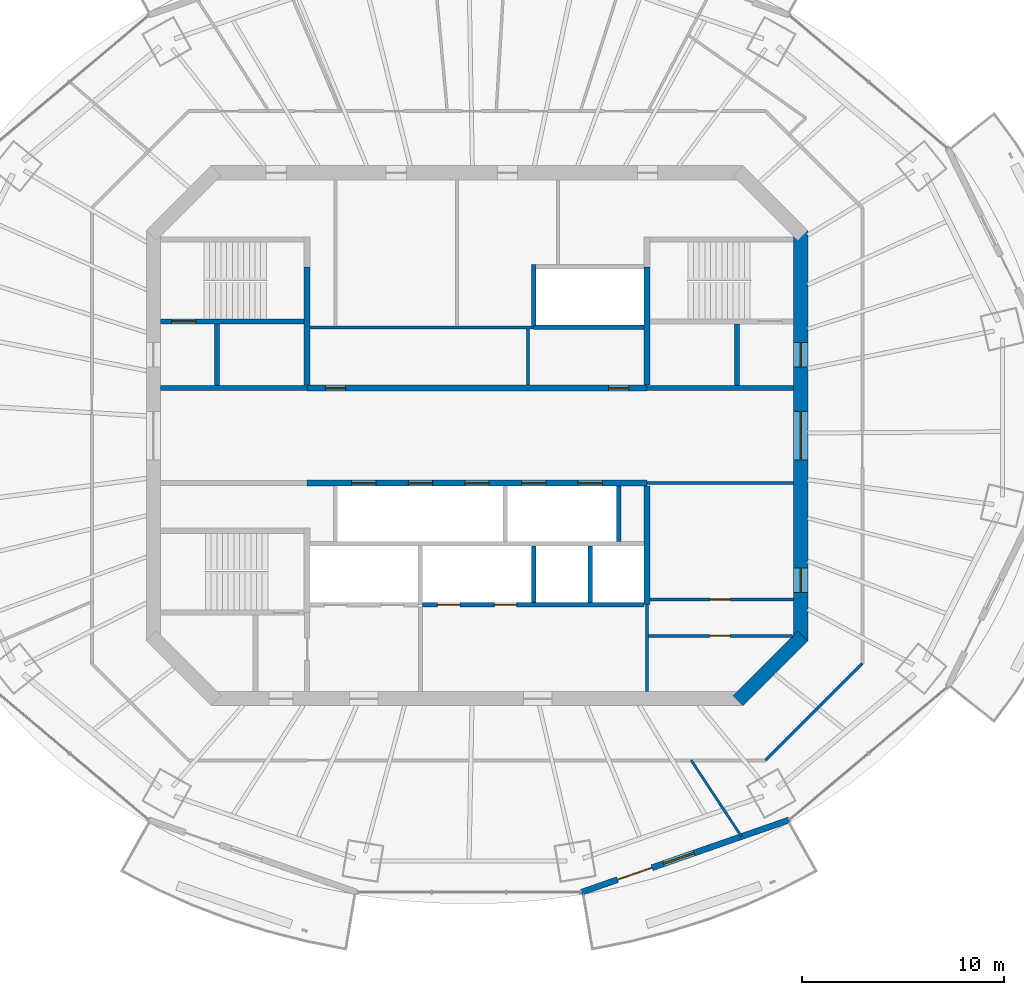
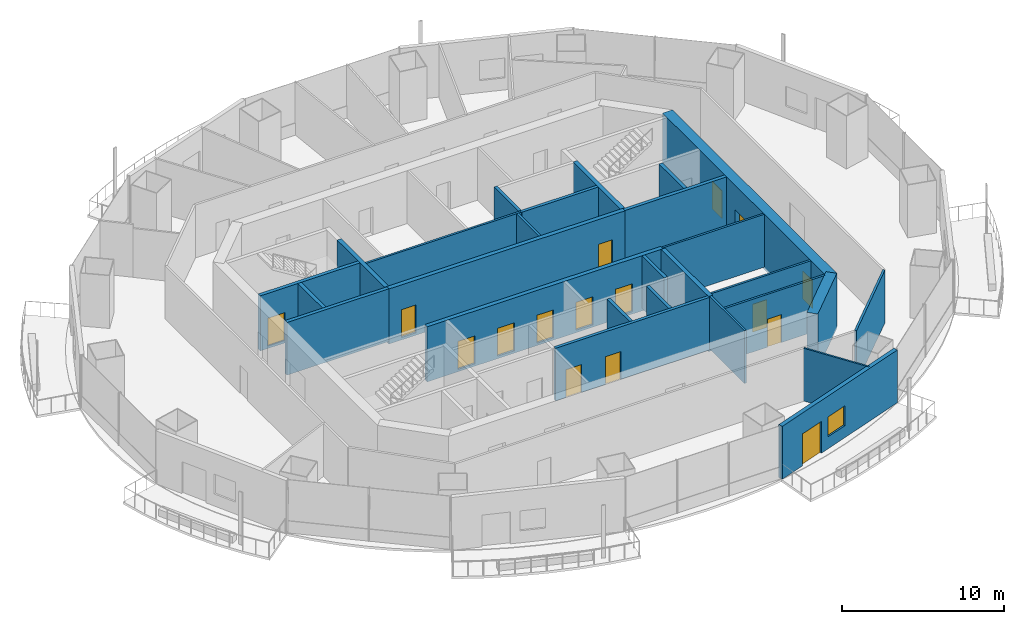
# One storey, part 9 of 16: 27 walls, 16 doors, 1 window, 17 openings.
"""IFC4 building model written with IfcOpenShell, lengths in metres."""

from ifc_helpers import new_model, si_unit, direction, frame, frame_2d, origin, place, context, subcontext, project, spatial, rectangle, extrude, material, layer, layer_set, type_object, element, fill, save


model = new_model("IFC4")

# Units and contexts
model_context = context("Model", 3, precision=1e-05, world=origin(), true_north=direction((0.0, 1.0)))
body_context = subcontext(model_context, "Body", "Model", "MODEL_VIEW")
ifc_project = project(units=[si_unit("LENGTHUNIT", "METRE"), si_unit("AREAUNIT", "SQUARE_METRE"), si_unit("VOLUMEUNIT", "CUBIC_METRE"), si_unit("PLANEANGLEUNIT", "RADIAN"), si_unit("MASSUNIT", "GRAM", prefix="KILO")], contexts=[model_context])

# Site, building, storey
site_placement = place(None, origin())
site = spatial("IfcSite", under=ifc_project, at=site_placement, CompositionType="ELEMENT")
building_placement = place(site_placement, origin())
building = spatial("IfcBuilding", under=site, at=building_placement, Name="Marenthal Gate Tower", CompositionType="ELEMENT")
storey_placement = place(building_placement, frame((0.0, 0.0, 305.25)))
storey = spatial("IfcBuildingStorey", under=building, at=storey_placement, Name="L68", CompositionType="ELEMENT", Elevation=305.25)

# Wall
ifc_material_1 = material(Name="Concrete 60 MPa", Category="concrete")
ifc_layer_1 = layer(ifc_material_1, 0.699951171875)
ifc_layer_set_1 = layer_set([ifc_layer_1], Name="Core shear wall 700")
wall_type_1 = type_object("IfcWallType", Name="Core shear wall 700", PredefinedType="SHEAR", material=ifc_layer_set_1)
wall_1_placement = place(storey_placement, frame((12.8974609375, -13.1025390625, -0.179931640625), z_axis=(0.0, 0.0, 1.0), x_axis=(0.707106781187, 0.707106781187, 0.0)))
element("IfcWall", 1, at=wall_1_placement, inside=storey, type_object=wall_type_1, Name="Core wall 01", PredefinedType="SHEAR", context=body_context, shape_type="SweptSolid", body=[
    extrude(rectangle(XDim=4.53271484375, YDim=0.699951171875, at=frame_2d((2.266357421875, 0.0))), origin(), (0.0, 0.0, 1.0), 4.14990234375),
])

# Wall, openings, doors
wall_2_placement = place(storey_placement, frame((16.0, -10.14501953125, -0.179931640625), z_axis=(0.0, 0.0, 1.0), x_axis=(0.0, 1.0, 0.0)))
wall_2 = element("IfcWall", 2, at=wall_2_placement, inside=storey, type_object=wall_type_1, Name="Core wall 02", PredefinedType="SHEAR", context=body_context, shape_type="SweptSolid", body=[
    extrude(rectangle(XDim=20.2900390625, YDim=0.699951171875, at=frame_2d((10.14501953125, 0.0))), origin(), (0.0, 0.0, 1.0), 4.14990234375),
])
opening_1_placement = place(wall_2_placement, frame((8.945068359375, 0.0, 0.179931640625)))
opening_1 = element("IfcOpeningElement", 3, at=opening_1_placement, cuts=wall_2, Name="Opening D003.02", PredefinedType="OPENING", context=body_context, shape_type="SweptSolid", body=[
    extrude(rectangle(XDim=2.39990234375, YDim=2.10009765625, at=frame_2d((1.199951171875, 1.050048828125))), frame((0.0, 0.35986328125, 0.0), z_axis=(0.0, -1.0, 0.0), x_axis=(1.0, 0.0, 0.0)), (0.0, 0.0, 1.0), 0.719970703125),
])
opening_2_placement = place(wall_2_placement, frame((13.544921875, 0.0, 0.179931640625)))
opening_2 = element("IfcOpeningElement", 4, at=opening_2_placement, cuts=wall_2, Name="Opening D001.05", PredefinedType="OPENING", context=body_context, shape_type="SweptSolid", body=[
    extrude(rectangle(XDim=1.199951171875, YDim=2.10009765625, at=frame_2d((0.60009765625, 1.050048828125))), frame((0.0, 0.35986328125, 0.0), z_axis=(0.0, -1.0, 0.0), x_axis=(1.0, 0.0, 0.0)), (0.0, 0.0, 1.0), 0.719970703125),
])
opening_3_placement = place(wall_2_placement, frame((2.39990234375, 0.0, 0.179931640625)))
opening_3 = element("IfcOpeningElement", 5, at=opening_3_placement, cuts=wall_2, Name="Opening D006.01", PredefinedType="OPENING", context=body_context, shape_type="SweptSolid", body=[
    extrude(rectangle(XDim=1.199951171875, YDim=2.10009765625, at=frame_2d((0.60009765625, 1.050048828125))), frame((0.0, 0.35986328125, 0.0), z_axis=(0.0, -1.0, 0.0), x_axis=(1.0, 0.0, 0.0)), (0.0, 0.0, 1.0), 0.719970703125),
])
ifc_material_2 = material(Name="Steel fire door", Category="steel")
door_type_1 = type_object("IfcDoorType", Name="Double fire door FD 45 2400 x 2100", OperationType="DOUBLE_DOOR_SINGLE_SWING", PredefinedType="DOOR", material=ifc_material_2)
door_1_placement = place(opening_1_placement, origin())
door_1 = element("IfcDoor", 6, at=door_1_placement, inside=storey, type_object=door_type_1, Name="Door D003.02", OperationType="DOUBLE_DOOR_SINGLE_SWING", OverallHeight=2.10009765625, OverallWidth=2.39990234375, PredefinedType="DOOR", context=body_context, shape_type="SweptSolid", body=[
    extrude(rectangle(XDim=2.39990234375, YDim=2.10009765625, at=frame_2d((1.199951171875, 1.050048828125))), frame((0.0, 0.02490234375, 0.0), z_axis=(0.0, -1.0, 0.0), x_axis=(1.0, 0.0, 0.0)), (0.0, 0.0, 1.0), 0.050048828125),
])
fill(opening_1, door_1)
ifc_material_3 = material(Name="Steel fire door", Category="steel")
door_type_2 = type_object("IfcDoorType", Name="Fire door FD 45 1200 x 2100", OperationType="NOTDEFINED", PredefinedType="DOOR", material=ifc_material_3)
door_2_placement = place(opening_3_placement, origin())
door_2 = element("IfcDoor", 7, at=door_2_placement, inside=storey, type_object=door_type_2, Name="Door D006.01", OperationType="SINGLE_SWING_RIGHT", OverallHeight=2.10009765625, OverallWidth=1.199951171875, PredefinedType="DOOR", context=body_context, shape_type="SweptSolid", body=[
    extrude(rectangle(XDim=1.199951171875, YDim=2.10009765625, at=frame_2d((0.60009765625, 1.050048828125))), frame((0.0, 0.02490234375, 0.0), z_axis=(0.0, -1.0, 0.0), x_axis=(1.0, 0.0, 0.0)), (0.0, 0.0, 1.0), 0.050048828125),
])
fill(opening_3, door_2)
ifc_material_4 = material(Name="Steel fire door", Category="steel")
door_type_3 = type_object("IfcDoorType", Name="Fire door FD 90 1200 x 2100", OperationType="NOTDEFINED", PredefinedType="DOOR", material=ifc_material_4)
door_3_placement = place(opening_2_placement, origin())
door_3 = element("IfcDoor", 8, at=door_3_placement, inside=storey, type_object=door_type_3, Name="Door D001.05", OperationType="SINGLE_SWING_RIGHT", OverallHeight=2.10009765625, OverallWidth=1.199951171875, PredefinedType="DOOR", context=body_context, shape_type="SweptSolid", body=[
    extrude(rectangle(XDim=1.199951171875, YDim=2.10009765625, at=frame_2d((0.60009765625, 1.050048828125))), frame((0.0, 0.02490234375, 0.0), z_axis=(0.0, -1.0, 0.0), x_axis=(1.0, 0.0, 0.0)), (0.0, 0.0, 1.0), 0.050048828125),
])
fill(opening_2, door_3)

ifc_material_5 = material(Name="Concrete 50 MPa", Category="concrete")
ifc_layer_2 = layer(ifc_material_5, 0.300048828125)
ifc_layer_set_2 = layer_set([ifc_layer_2], Name="Hoistway shear wall 300")
wall_type_2 = type_object("IfcWallType", Name="Hoistway shear wall 300", PredefinedType="SHEAR", material=ifc_layer_set_2)
wall_3_placement = place(storey_placement, frame((-8.39990234375, -2.35009765625, -0.179931640625), z_axis=(0.0, 0.0, 1.0), x_axis=(1.0, 0.0, 0.0)))
wall_3 = element("IfcWall", 9, at=wall_3_placement, inside=storey, type_object=wall_type_2, Name="Hoistway wall 17", PredefinedType="SHEAR", context=body_context, shape_type="SweptSolid", body=[
    extrude(rectangle(XDim=16.7998046875, YDim=0.300048828125, at=frame_2d((8.39990234375, 0.0))), origin(), (0.0, 0.0, 1.0), 4.14990234375),
])
opening_4_placement = place(wall_3_placement, frame((2.199951171875, 0.0, 0.179931640625)))
opening_4 = element("IfcOpeningElement", 10, at=opening_4_placement, cuts=wall_3, Name="Opening LD-HP1", PredefinedType="OPENING", context=body_context, shape_type="SweptSolid", body=[
    extrude(rectangle(XDim=1.199951171875, YDim=2.10009765625, at=frame_2d((0.60009765625, 1.050048828125))), frame((0.0, 0.16015625, 0.0), z_axis=(0.0, -1.0, 0.0), x_axis=(1.0, 0.0, 0.0)), (0.0, 0.0, 1.0), 0.320068359375),
])
opening_5_placement = place(wall_3_placement, frame((5.0, 0.0, 0.179931640625)))
opening_5 = element("IfcOpeningElement", 11, at=opening_5_placement, cuts=wall_3, Name="Opening LD-HP2", PredefinedType="OPENING", context=body_context, shape_type="SweptSolid", body=[
    extrude(rectangle(XDim=1.199951171875, YDim=2.10009765625, at=frame_2d((0.60009765625, 1.050048828125))), frame((0.0, 0.16015625, 0.0), z_axis=(0.0, -1.0, 0.0), x_axis=(1.0, 0.0, 0.0)), (0.0, 0.0, 1.0), 0.320068359375),
])
opening_6_placement = place(wall_3_placement, frame((7.800048828125, 0.0, 0.179931640625)))
opening_6 = element("IfcOpeningElement", 12, at=opening_6_placement, cuts=wall_3, Name="Opening LD-HP3", PredefinedType="OPENING", context=body_context, shape_type="SweptSolid", body=[
    extrude(rectangle(XDim=1.199951171875, YDim=2.10009765625, at=frame_2d((0.60009765625, 1.050048828125))), frame((0.0, 0.16015625, 0.0), z_axis=(0.0, -1.0, 0.0), x_axis=(1.0, 0.0, 0.0)), (0.0, 0.0, 1.0), 0.320068359375),
])
opening_7_placement = place(wall_3_placement, frame((10.60009765625, 0.0, 0.179931640625)))
opening_7 = element("IfcOpeningElement", 13, at=opening_7_placement, cuts=wall_3, Name="Opening LD-HP4", PredefinedType="OPENING", context=body_context, shape_type="SweptSolid", body=[
    extrude(rectangle(XDim=1.199951171875, YDim=2.10009765625, at=frame_2d((0.60009765625, 1.050048828125))), frame((0.0, 0.16015625, 0.0), z_axis=(0.0, -1.0, 0.0), x_axis=(1.0, 0.0, 0.0)), (0.0, 0.0, 1.0), 0.320068359375),
])
opening_8_placement = place(wall_3_placement, frame((13.39990234375, 0.0, 0.179931640625)))
opening_8 = element("IfcOpeningElement", 14, at=opening_8_placement, cuts=wall_3, Name="Opening LD-HP5", PredefinedType="OPENING", context=body_context, shape_type="SweptSolid", body=[
    extrude(rectangle(XDim=1.199951171875, YDim=2.10009765625, at=frame_2d((0.60009765625, 1.050048828125))), frame((0.0, 0.16015625, 0.0), z_axis=(0.0, -1.0, 0.0), x_axis=(1.0, 0.0, 0.0)), (0.0, 0.0, 1.0), 0.320068359375),
])
ifc_material_6 = material(Name="Stainless steel sliding door", Category="steel")
door_type_4 = type_object("IfcDoorType", Name="Lift landing door FD 90 1200 x 2100", OperationType="DOUBLE_DOOR_SLIDING", PredefinedType="DOOR", material=ifc_material_6)
door_4_placement = place(opening_4_placement, origin())
door_4 = element("IfcDoor", 15, at=door_4_placement, inside=storey, type_object=door_type_4, Name="Lift landing door HP1", OperationType="DOUBLE_DOOR_SLIDING", OverallHeight=2.10009765625, OverallWidth=1.199951171875, PredefinedType="DOOR", context=body_context, shape_type="SweptSolid", body=[
    extrude(rectangle(XDim=1.199951171875, YDim=2.10009765625, at=frame_2d((0.60009765625, 1.050048828125))), frame((0.0, 0.02490234375, 0.0), z_axis=(0.0, -1.0, 0.0), x_axis=(1.0, 0.0, 0.0)), (0.0, 0.0, 1.0), 0.050048828125),
])
fill(opening_4, door_4)
door_5_placement = place(opening_5_placement, origin())
door_5 = element("IfcDoor", 16, at=door_5_placement, inside=storey, type_object=door_type_4, Name="Lift landing door HP2", OperationType="DOUBLE_DOOR_SLIDING", OverallHeight=2.10009765625, OverallWidth=1.199951171875, PredefinedType="DOOR", context=body_context, shape_type="SweptSolid", body=[
    extrude(rectangle(XDim=1.199951171875, YDim=2.10009765625, at=frame_2d((0.60009765625, 1.050048828125))), frame((0.0, 0.02490234375, 0.0), z_axis=(0.0, -1.0, 0.0), x_axis=(1.0, 0.0, 0.0)), (0.0, 0.0, 1.0), 0.050048828125),
])
fill(opening_5, door_5)
door_6_placement = place(opening_6_placement, origin())
door_6 = element("IfcDoor", 17, at=door_6_placement, inside=storey, type_object=door_type_4, Name="Lift landing door HP3", OperationType="DOUBLE_DOOR_SLIDING", OverallHeight=2.10009765625, OverallWidth=1.199951171875, PredefinedType="DOOR", context=body_context, shape_type="SweptSolid", body=[
    extrude(rectangle(XDim=1.199951171875, YDim=2.10009765625, at=frame_2d((0.60009765625, 1.050048828125))), frame((0.0, 0.02490234375, 0.0), z_axis=(0.0, -1.0, 0.0), x_axis=(1.0, 0.0, 0.0)), (0.0, 0.0, 1.0), 0.050048828125),
])
fill(opening_6, door_6)
door_7_placement = place(opening_7_placement, origin())
door_7 = element("IfcDoor", 18, at=door_7_placement, inside=storey, type_object=door_type_4, Name="Lift landing door HP4", OperationType="DOUBLE_DOOR_SLIDING", OverallHeight=2.10009765625, OverallWidth=1.199951171875, PredefinedType="DOOR", context=body_context, shape_type="SweptSolid", body=[
    extrude(rectangle(XDim=1.199951171875, YDim=2.10009765625, at=frame_2d((0.60009765625, 1.050048828125))), frame((0.0, 0.02490234375, 0.0), z_axis=(0.0, -1.0, 0.0), x_axis=(1.0, 0.0, 0.0)), (0.0, 0.0, 1.0), 0.050048828125),
])
fill(opening_7, door_7)
door_8_placement = place(opening_8_placement, origin())
door_8 = element("IfcDoor", 19, at=door_8_placement, inside=storey, type_object=door_type_4, Name="Lift landing door HP5", OperationType="DOUBLE_DOOR_SLIDING", OverallHeight=2.10009765625, OverallWidth=1.199951171875, PredefinedType="DOOR", context=body_context, shape_type="SweptSolid", body=[
    extrude(rectangle(XDim=1.199951171875, YDim=2.10009765625, at=frame_2d((0.60009765625, 1.050048828125))), frame((0.0, 0.02490234375, 0.0), z_axis=(0.0, -1.0, 0.0), x_axis=(1.0, 0.0, 0.0)), (0.0, 0.0, 1.0), 0.050048828125),
])
fill(opening_8, door_8)

wall_4_placement = place(storey_placement, frame((-8.39990234375, 2.35009765625, -0.179931640625), z_axis=(0.0, 0.0, 1.0), x_axis=(1.0, 0.0, 0.0)))
wall_4 = element("IfcWall", 20, at=wall_4_placement, inside=storey, type_object=wall_type_2, Name="Hoistway wall 20", PredefinedType="SHEAR", context=body_context, shape_type="SweptSolid", body=[
    extrude(rectangle(XDim=16.7998046875, YDim=0.300048828125, at=frame_2d((8.39990234375, 0.0))), origin(), (0.0, 0.0, 1.0), 4.14990234375),
])
opening_9_placement = place(wall_4_placement, frame((0.89990234375, 0.0, 0.179931640625)))
opening_9 = element("IfcOpeningElement", 21, at=opening_9_placement, cuts=wall_4, Name="Opening D005.01", PredefinedType="OPENING", context=body_context, shape_type="SweptSolid", body=[
    extrude(rectangle(XDim=1.0, YDim=2.10009765625, at=frame_2d((0.5, 1.050048828125))), frame((0.0, 0.16015625, 0.0), z_axis=(0.0, -1.0, 0.0), x_axis=(1.0, 0.0, 0.0)), (0.0, 0.0, 1.0), 0.320068359375),
])
opening_10_placement = place(wall_4_placement, frame((14.89990234375, 0.0, 0.179931640625)))
opening_10 = element("IfcOpeningElement", 22, at=opening_10_placement, cuts=wall_4, Name="Opening D005.02", PredefinedType="OPENING", context=body_context, shape_type="SweptSolid", body=[
    extrude(rectangle(XDim=1.0, YDim=2.10009765625, at=frame_2d((0.5, 1.050048828125))), frame((0.0, 0.16015625, 0.0), z_axis=(0.0, -1.0, 0.0), x_axis=(1.0, 0.0, 0.0)), (0.0, 0.0, 1.0), 0.320068359375),
])
ifc_material_7 = material(Name="Steel fire door", Category="steel")
door_type_5 = type_object("IfcDoorType", Name="Fire door FD 45 1000 x 2100", OperationType="NOTDEFINED", PredefinedType="DOOR", material=ifc_material_7)
door_9_placement = place(opening_9_placement, origin())
door_9 = element("IfcDoor", 23, at=door_9_placement, inside=storey, type_object=door_type_5, Name="Door D005.01", OperationType="SINGLE_SWING_RIGHT", OverallHeight=2.10009765625, OverallWidth=1.0, PredefinedType="DOOR", context=body_context, shape_type="SweptSolid", body=[
    extrude(rectangle(XDim=1.0, YDim=2.10009765625, at=frame_2d((0.5, 1.050048828125))), frame((0.0, 0.02490234375, 0.0), z_axis=(0.0, -1.0, 0.0), x_axis=(1.0, 0.0, 0.0)), (0.0, 0.0, 1.0), 0.050048828125),
])
fill(opening_9, door_9)
door_10_placement = place(opening_10_placement, origin())
door_10 = element("IfcDoor", 24, at=door_10_placement, inside=storey, type_object=door_type_5, Name="Door D005.02", OperationType="SINGLE_SWING_RIGHT", OverallHeight=2.10009765625, OverallWidth=1.0, PredefinedType="DOOR", context=body_context, shape_type="SweptSolid", body=[
    extrude(rectangle(XDim=1.0, YDim=2.10009765625, at=frame_2d((0.5, 1.050048828125))), frame((0.0, 0.02490234375, 0.0), z_axis=(0.0, -1.0, 0.0), x_axis=(1.0, 0.0, 0.0)), (0.0, 0.0, 1.0), 0.050048828125),
])
fill(opening_10, door_10)

# Walls
for number, where, z_axis, x_axis, name in (
    (25, (-8.39990234375, 2.5, -0.179931640625), (0.0, 0.0, 1.0), (0.0, 1.0, 0.0), "Hoistway wall 33"),
    (26, (8.39990234375, -8.35009765625, -0.179931640625), (0.0, 0.0, 1.0), (0.0, 1.0, 0.0), "Hoistway wall 48"),
    (27, (8.39990234375, 2.5, -0.179931640625), (0.0, 0.0, 1.0), (0.0, 1.0, 0.0), "Hoistway wall 49"),
):
    element("IfcWall", number, at=place(storey_placement, frame(where, z_axis=z_axis, x_axis=x_axis)), inside=storey, type_object=wall_type_2, Name=name, PredefinedType="SHEAR", context=body_context, shape_type="SweptSolid", body=[
        extrude(rectangle(XDim=5.85009765625, YDim=0.300048828125, at=frame_2d((2.925048828125, 0.0))), origin(), (0.0, 0.0, 1.0), 4.14990234375),
    ])

# Wall, openings, doors
ifc_material_8 = material(Name="Concrete 40 MPa", Category="concrete")
ifc_layer_3 = layer(ifc_material_8, 0.219970703125)
ifc_layer_set_3 = layer_set([ifc_layer_3], Name="Hoistway wall 220")
wall_type_3 = type_object("IfcWallType", Name="Hoistway wall 220", PredefinedType="STANDARD", material=ifc_layer_set_3)
wall_5_placement = place(storey_placement, frame((-2.68994140625, -8.35009765625, 0.0), z_axis=(0.0, 0.0, 1.0), x_axis=(1.0, 0.0, 0.0)))
wall_5 = element("IfcWall", 28, at=wall_5_placement, inside=storey, type_object=wall_type_3, Name="Hoistway wall 12", PredefinedType="STANDARD", context=body_context, shape_type="SweptSolid", body=[
    extrude(rectangle(XDim=10.93994140625, YDim=0.219970703125, at=frame_2d((5.469970703125, 0.0))), origin(), (0.0, 0.0, 1.0), 3.969970703125),
])
opening_11_placement = place(wall_5_placement, frame((0.739990234375, 0.0, 0.0)))
opening_11 = element("IfcOpeningElement", 29, at=opening_11_placement, cuts=wall_5, Name="Opening LD-SV1", PredefinedType="OPENING", context=body_context, shape_type="SweptSolid", body=[
    extrude(rectangle(XDim=1.10009765625, YDim=2.10009765625, at=frame_2d((0.550048828125, 1.050048828125))), frame((0.0, 0.1201171875, 0.0), z_axis=(0.0, -1.0, 0.0), x_axis=(1.0, 0.0, 0.0)), (0.0, 0.0, 1.0), 0.239990234375),
])
opening_12_placement = place(wall_5_placement, frame((3.5400390625, 0.0, 0.0)))
opening_12 = element("IfcOpeningElement", 30, at=opening_12_placement, cuts=wall_5, Name="Opening LD-SV2", PredefinedType="OPENING", context=body_context, shape_type="SweptSolid", body=[
    extrude(rectangle(XDim=1.10009765625, YDim=2.10009765625, at=frame_2d((0.550048828125, 1.050048828125))), frame((0.0, 0.1201171875, 0.0), z_axis=(0.0, -1.0, 0.0), x_axis=(1.0, 0.0, 0.0)), (0.0, 0.0, 1.0), 0.239990234375),
])
ifc_material_9 = material(Name="Stainless steel sliding door", Category="steel")
door_type_6 = type_object("IfcDoorType", Name="Lift landing door FD 90 1100 x 2100", OperationType="DOUBLE_DOOR_SLIDING", PredefinedType="DOOR", material=ifc_material_9)
door_11_placement = place(opening_11_placement, origin())
door_11 = element("IfcDoor", 31, at=door_11_placement, inside=storey, type_object=door_type_6, Name="Lift landing door SV1", OperationType="DOUBLE_DOOR_SLIDING", OverallHeight=2.10009765625, OverallWidth=1.10009765625, PredefinedType="DOOR", context=body_context, shape_type="SweptSolid", body=[
    extrude(rectangle(XDim=1.10009765625, YDim=2.10009765625, at=frame_2d((0.550048828125, 1.050048828125))), frame((0.0, 0.02490234375, 0.0), z_axis=(0.0, -1.0, 0.0), x_axis=(1.0, 0.0, 0.0)), (0.0, 0.0, 1.0), 0.050048828125),
])
fill(opening_11, door_11)
door_12_placement = place(opening_12_placement, origin())
door_12 = element("IfcDoor", 32, at=door_12_placement, inside=storey, type_object=door_type_6, Name="Lift landing door SV2", OperationType="DOUBLE_DOOR_SLIDING", OverallHeight=2.10009765625, OverallWidth=1.10009765625, PredefinedType="DOOR", context=body_context, shape_type="SweptSolid", body=[
    extrude(rectangle(XDim=1.10009765625, YDim=2.10009765625, at=frame_2d((0.550048828125, 1.050048828125))), frame((0.0, 0.02490234375, 0.0), z_axis=(0.0, -1.0, 0.0), x_axis=(1.0, 0.0, 0.0)), (0.0, 0.0, 1.0), 0.050048828125),
])
fill(opening_12, door_12)

# Walls
wall_6_placement = place(storey_placement, frame((2.800048828125, 5.35009765625, 0.0), z_axis=(0.0, 0.0, 1.0), x_axis=(1.0, 0.0, 0.0)))
element("IfcWall", 33, at=wall_6_placement, inside=storey, type_object=wall_type_3, Name="Hoistway wall 23", PredefinedType="STANDARD", context=body_context, shape_type="SweptSolid", body=[
    extrude(rectangle(XDim=5.449951171875, YDim=0.219970703125, at=frame_2d((2.72509765625, 0.0))), origin(), (0.0, 0.0, 1.0), 3.969970703125),
])
wall_7_placement = place(storey_placement, frame((2.800048828125, -8.239990234375, 0.0), z_axis=(0.0, 0.0, 1.0), x_axis=(0.0, 1.0, 0.0)))
element("IfcWall", 34, at=wall_7_placement, inside=storey, type_object=wall_type_3, Name="Hoistway wall 42", PredefinedType="STANDARD", context=body_context, shape_type="SweptSolid", body=[
    extrude(rectangle(XDim=2.780029296875, YDim=0.219970703125, at=frame_2d((1.39013671875, 0.0))), origin(), (0.0, 0.0, 1.0), 3.969970703125),
])
wall_8_placement = place(storey_placement, frame((2.800048828125, 5.4599609375, 0.0), z_axis=(0.0, 0.0, 1.0), x_axis=(0.0, 1.0, 0.0)))
element("IfcWall", 35, at=wall_8_placement, inside=storey, type_object=wall_type_3, Name="Hoistway wall 43", PredefinedType="STANDARD", context=body_context, shape_type="SweptSolid", body=[
    extrude(rectangle(XDim=3.0, YDim=0.219970703125, at=frame_2d((1.5, 0.0))), origin(), (0.0, 0.0, 1.0), 3.969970703125),
])
wall_9_placement = place(storey_placement, frame((5.60009765625, -8.239990234375, 0.0), z_axis=(0.0, 0.0, 1.0), x_axis=(0.0, 1.0, 0.0)))
element("IfcWall", 36, at=wall_9_placement, inside=storey, type_object=wall_type_3, Name="Hoistway wall 45", PredefinedType="STANDARD", context=body_context, shape_type="SweptSolid", body=[
    extrude(rectangle(XDim=2.780029296875, YDim=0.219970703125, at=frame_2d((1.39013671875, 0.0))), origin(), (0.0, 0.0, 1.0), 3.969970703125),
])
wall_10_placement = place(storey_placement, frame((7.0, -5.239990234375, 0.0), z_axis=(0.0, 0.0, 1.0), x_axis=(0.0, 1.0, 0.0)))
element("IfcWall", 37, at=wall_10_placement, inside=storey, type_object=wall_type_3, Name="Hoistway wall 46", PredefinedType="STANDARD", context=body_context, shape_type="SweptSolid", body=[
    extrude(rectangle(XDim=2.739990234375, YDim=0.219970703125, at=frame_2d((1.3701171875, 0.0))), origin(), (0.0, 0.0, 1.0), 3.969970703125),
])
ifc_material_10 = material(Name="Gypsum board on steel studs", Category="steel")
ifc_layer_4 = layer(ifc_material_10, 0.1201171875)
ifc_layer_set_4 = layer_set([ifc_layer_4], Name="Partition 120")
wall_type_4 = type_object("IfcWallType", Name="Partition 120", PredefinedType="PARTITIONING", material=ifc_layer_set_4)
wall_11_placement = place(storey_placement, frame((10.586669921875, -16.050048828125, 0.0), z_axis=(0.0, 0.0, 1.0), x_axis=(0.550627599646, -0.83475100869, 0.0)))
element("IfcWall", 38, at=wall_11_placement, inside=storey, type_object=wall_type_4, Name="Partition wall 64", PredefinedType="PARTITIONING", context=body_context, shape_type="SweptSolid", body=[
    extrude(rectangle(XDim=4.517333984375, YDim=0.1201171875, at=frame_2d((2.2587890625, 0.0))), origin(), (0.0, 0.0, 1.0), 3.969970703125),
])

# Wall, opening, door
ifc_material_11 = material(Name="Gypsum board on steel studs", Category="steel")
ifc_layer_5 = layer(ifc_material_11, 0.14990234375)
ifc_layer_set_5 = layer_set([ifc_layer_5], Name="Partition 150")
wall_type_5 = type_object("IfcWallType", Name="Partition 150", PredefinedType="PARTITIONING", material=ifc_layer_set_5)
wall_12_placement = place(storey_placement, frame((8.47509765625, -9.89990234375, 0.0), z_axis=(0.0, 0.0, 1.0), x_axis=(1.0, 0.0, 0.0)))
wall_12 = element("IfcWall", 39, at=wall_12_placement, inside=storey, type_object=wall_type_5, Name="Partition wall 09", PredefinedType="PARTITIONING", context=body_context, shape_type="SweptSolid", body=[
    extrude(rectangle(XDim=7.1298828125, YDim=0.14990234375, at=frame_2d((3.56494140625, 0.0))), origin(), (0.0, 0.0, 1.0), 3.969970703125),
])
opening_13_placement = place(wall_12_placement, frame((3.027587890625, 0.0, 0.0)))
opening_13 = element("IfcOpeningElement", 40, at=opening_13_placement, cuts=wall_12, Name="Opening D005.08", PredefinedType="OPENING", context=body_context, shape_type="SweptSolid", body=[
    extrude(rectangle(XDim=1.0, YDim=2.10009765625, at=frame_2d((0.5, 1.050048828125))), frame((0.0, 0.0849609375, 0.0), z_axis=(0.0, -1.0, 0.0), x_axis=(1.0, 0.0, 0.0)), (0.0, 0.0, 1.0), 0.169921875),
])
door_13_placement = place(opening_13_placement, frame((1.0, 0.0, 0.0), z_axis=(0.0, 0.0, 1.0), x_axis=(-1.0, 0.0, 0.0)))
door_13 = element("IfcDoor", 41, at=door_13_placement, inside=storey, type_object=door_type_5, Name="Door D005.08", OperationType="SINGLE_SWING_LEFT", OverallHeight=2.10009765625, OverallWidth=1.0, PredefinedType="DOOR", context=body_context, shape_type="SweptSolid", body=[
    extrude(rectangle(XDim=1.0, YDim=2.10009765625, at=frame_2d((0.5, 1.050048828125))), frame((0.0, 0.02490234375, 0.0), z_axis=(0.0, -1.0, 0.0), x_axis=(1.0, 0.0, 0.0)), (0.0, 0.0, 1.0), 0.050048828125),
])
fill(opening_13, door_13)

wall_13_placement = place(storey_placement, frame((8.550048828125, -8.10009765625, 0.0), z_axis=(0.0, 0.0, 1.0), x_axis=(1.0, 0.0, 0.0)))
wall_13 = element("IfcWall", 42, at=wall_13_placement, inside=storey, type_object=wall_type_5, Name="Partition wall 13", PredefinedType="PARTITIONING", context=body_context, shape_type="SweptSolid", body=[
    extrude(rectangle(XDim=7.099853515625, YDim=0.14990234375, at=frame_2d((3.5498046875, 0.0))), origin(), (0.0, 0.0, 1.0), 3.969970703125),
])
opening_14_placement = place(wall_13_placement, frame((2.97509765625, 0.0, 0.0)))
opening_14 = element("IfcOpeningElement", 43, at=opening_14_placement, cuts=wall_13, Name="Opening D005.07", PredefinedType="OPENING", context=body_context, shape_type="SweptSolid", body=[
    extrude(rectangle(XDim=1.0, YDim=2.10009765625, at=frame_2d((0.5, 1.050048828125))), frame((0.0, 0.0849609375, 0.0), z_axis=(0.0, -1.0, 0.0), x_axis=(1.0, 0.0, 0.0)), (0.0, 0.0, 1.0), 0.169921875),
])
door_14_placement = place(opening_14_placement, origin())
door_14 = element("IfcDoor", 44, at=door_14_placement, inside=storey, type_object=door_type_5, Name="Door D005.07", OperationType="SINGLE_SWING_RIGHT", OverallHeight=2.10009765625, OverallWidth=1.0, PredefinedType="DOOR", context=body_context, shape_type="SweptSolid", body=[
    extrude(rectangle(XDim=1.0, YDim=2.10009765625, at=frame_2d((0.5, 1.050048828125))), frame((0.0, 0.02490234375, 0.0), z_axis=(0.0, -1.0, 0.0), x_axis=(1.0, 0.0, 0.0)), (0.0, 0.0, 1.0), 0.050048828125),
])
fill(opening_14, door_14)

# Walls
wall_14_placement = place(storey_placement, frame((8.39990234375, -2.35009765625, 0.0), z_axis=(0.0, 0.0, 1.0), x_axis=(1.0, 0.0, 0.0)))
element("IfcWall", 45, at=wall_14_placement, inside=storey, type_object=wall_type_5, Name="Partition wall 18", PredefinedType="PARTITIONING", context=body_context, shape_type="SweptSolid", body=[
    extrude(rectangle(XDim=7.25, YDim=0.14990234375, at=frame_2d((3.625, 0.0))), origin(), (0.0, 0.0, 1.0), 3.969970703125),
])
wall_15_placement = place(storey_placement, frame((-8.25, 5.35009765625, 0.0), z_axis=(0.0, 0.0, 1.0), x_axis=(1.0, 0.0, 0.0)))
element("IfcWall", 46, at=wall_15_placement, inside=storey, type_object=wall_type_5, Name="Partition wall 22", PredefinedType="PARTITIONING", context=body_context, shape_type="SweptSolid", body=[
    extrude(rectangle(XDim=11.050048828125, YDim=0.14990234375, at=frame_2d((5.52490234375, 0.0))), origin(), (0.0, 0.0, 1.0), 3.969970703125),
])
wall_16_placement = place(storey_placement, frame((2.52001953125, 2.5, 0.0), z_axis=(0.0, 0.0, 1.0), x_axis=(0.0, 1.0, 0.0)))
element("IfcWall", 47, at=wall_16_placement, inside=storey, type_object=wall_type_5, Name="Partition wall 41", PredefinedType="PARTITIONING", context=body_context, shape_type="SweptSolid", body=[
    extrude(rectangle(XDim=2.77490234375, YDim=0.14990234375, at=frame_2d((1.387451171875, 0.0))), origin(), (0.0, 0.0, 1.0), 3.969970703125),
])
wall_17_placement = place(storey_placement, frame((8.39990234375, -12.64990234375, 0.0), z_axis=(0.0, 0.0, 1.0), x_axis=(0.0, 1.0, 0.0)))
element("IfcWall", 48, at=wall_17_placement, inside=storey, type_object=wall_type_5, Name="Partition wall 47", PredefinedType="PARTITIONING", context=body_context, shape_type="SweptSolid", body=[
    extrude(rectangle(XDim=4.2998046875, YDim=0.14990234375, at=frame_2d((2.14990234375, 0.0))), origin(), (0.0, 0.0, 1.0), 3.969970703125),
])
wall_18_placement = place(storey_placement, frame((19.050048828125, -11.263427734375, 0.0), z_axis=(0.0, 0.0, 1.0), x_axis=(-0.707106781187, -0.707106781187, 0.0)))
element("IfcWall", 49, at=wall_18_placement, inside=storey, type_object=wall_type_5, Name="Partition wall 69", PredefinedType="PARTITIONING", context=body_context, shape_type="SweptSolid", body=[
    extrude(rectangle(XDim=6.769287109375, YDim=0.14990234375, at=frame_2d((3.384765625, 0.0))), origin(), (0.0, 0.0, 1.0), 3.969970703125),
])
ifc_material_12 = material(Name="Concrete 40 MPa", Category="concrete")
ifc_layer_6 = layer(ifc_material_12, 0.25)
ifc_layer_set_6 = layer_set([ifc_layer_6], Name="Stair enclosure wall 250")
wall_type_6 = type_object("IfcWallType", Name="Stair enclosure wall 250", PredefinedType="STANDARD", material=ifc_layer_set_6)
for number, where, z_axis, x_axis, name in (
    (50, (-15.64990234375, 2.35009765625, 0.0), (0.0, 0.0, 1.0), (1.0, 0.0, 0.0), "Stair wall 19"),
    (51, (8.39990234375, 2.35009765625, 0.0), (0.0, 0.0, 1.0), (1.0, 0.0, 0.0), "Stair wall 21"),
):
    element("IfcWall", number, at=place(storey_placement, frame(where, z_axis=z_axis, x_axis=x_axis)), inside=storey, type_object=wall_type_6, Name=name, PredefinedType="STANDARD", context=body_context, shape_type="SweptSolid", body=[
        extrude(rectangle(XDim=7.25, YDim=0.25, at=frame_2d((3.625, 0.0))), origin(), (0.0, 0.0, 1.0), 3.969970703125),
    ])
for number, where, z_axis, x_axis, name in (
    (52, (-12.85009765625, 2.47509765625, 0.0), (0.0, 0.0, 1.0), (0.0, 1.0, 0.0), "Stair wall 29"),
    (53, (12.85009765625, 2.47509765625, 0.0), (0.0, 0.0, 1.0), (0.0, 1.0, 0.0), "Stair wall 51"),
):
    element("IfcWall", number, at=place(storey_placement, frame(where, z_axis=z_axis, x_axis=x_axis)), inside=storey, type_object=wall_type_6, Name=name, PredefinedType="STANDARD", context=body_context, shape_type="SweptSolid", body=[
        extrude(rectangle(XDim=3.0498046875, YDim=0.25, at=frame_2d((1.52490234375, 0.0))), origin(), (0.0, 0.0, 1.0), 3.969970703125),
    ])

# Wall, opening, door
ifc_material_13 = material(Name="Concrete 50 MPa", Category="concrete")
ifc_layer_7 = layer(ifc_material_13, 0.25)
ifc_layer_set_7 = layer_set([ifc_layer_7], Name="Stair shear wall 250")
wall_type_7 = type_object("IfcWallType", Name="Stair shear wall 250", PredefinedType="SHEAR", material=ifc_layer_set_7)
wall_19_placement = place(storey_placement, frame((-15.64990234375, 5.64990234375, -0.179931640625), z_axis=(0.0, 0.0, 1.0), x_axis=(1.0, 0.0, 0.0)))
wall_19 = element("IfcWall", 54, at=wall_19_placement, inside=storey, type_object=wall_type_7, Name="Stair wall 24", PredefinedType="SHEAR", context=body_context, shape_type="SweptSolid", body=[
    extrude(rectangle(XDim=7.099853515625, YDim=0.25, at=frame_2d((3.5498046875, 0.0))), origin(), (0.0, 0.0, 1.0), 4.14990234375),
])
opening_15_placement = place(wall_19_placement, frame((0.550048828125, 0.0, 0.179931640625)))
opening_15 = element("IfcOpeningElement", 55, at=opening_15_placement, cuts=wall_19, Name="Opening D001.01", PredefinedType="OPENING", context=body_context, shape_type="SweptSolid", body=[
    extrude(rectangle(XDim=1.199951171875, YDim=2.10009765625, at=frame_2d((0.60009765625, 1.050048828125))), frame((0.0, 0.135009765625, 0.0), z_axis=(0.0, -1.0, 0.0), x_axis=(1.0, 0.0, 0.0)), (0.0, 0.0, 1.0), 0.27001953125),
])
door_15_placement = place(opening_15_placement, origin())
door_15 = element("IfcDoor", 56, at=door_15_placement, inside=storey, type_object=door_type_3, Name="Door D001.01", OperationType="SINGLE_SWING_RIGHT", OverallHeight=2.10009765625, OverallWidth=1.199951171875, PredefinedType="DOOR", context=body_context, shape_type="SweptSolid", body=[
    extrude(rectangle(XDim=1.199951171875, YDim=2.10009765625, at=frame_2d((0.60009765625, 1.050048828125))), frame((0.0, 0.02490234375, 0.0), z_axis=(0.0, -1.0, 0.0), x_axis=(1.0, 0.0, 0.0)), (0.0, 0.0, 1.0), 0.050048828125),
])
fill(opening_15, door_15)

# Wall, openings, door, window
ifc_material_14 = material(Name="Terracotta cladding on insulated concrete-block backing", Category="masonry")
ifc_layer_8 = layer(ifc_material_14, 0.300048828125)
ifc_layer_set_8 = layer_set([ifc_layer_8], Name="Terracotta facade wall 300")
wall_type_8 = type_object("IfcWallType", Name="Terracotta facade wall 300", PredefinedType="SOLIDWALL", material=ifc_layer_set_8)
wall_20_placement = place(storey_placement, frame((5.155517578125, -22.577880859375, 0.0), z_axis=(0.0, 0.0, 1.0), x_axis=(0.944387657449, 0.32883423249, 0.0)))
wall_20 = element("IfcWall", 57, at=wall_20_placement, inside=storey, type_object=wall_type_8, Name="Terracotta facade wall L68 bay 13", PredefinedType="SOLIDWALL", context=body_context, shape_type="SweptSolid", body=[
    extrude(rectangle(XDim=10.869384765625, YDim=0.300048828125, at=frame_2d((5.4345703125, 0.0))), origin(), (0.0, 0.0, 1.0), 3.969970703125),
])
opening_16_placement = place(wall_20_placement, frame((1.89990234375, 0.0, 0.0)))
opening_16 = element("IfcOpeningElement", 58, at=opening_16_placement, cuts=wall_20, Name="Opening BD-L68-13", PredefinedType="OPENING", context=body_context, shape_type="SweptSolid", body=[
    extrude(rectangle(XDim=1.800048828125, YDim=2.39990234375, at=frame_2d((0.89990234375, 1.199951171875))), frame((0.0, 0.16015625, 0.0), z_axis=(0.0, -1.0, 0.0), x_axis=(1.0, 0.0, 0.0)), (0.0, 0.0, 1.0), 0.320068359375),
])
opening_17_placement = place(wall_20_placement, frame((4.300048828125, 0.0, 0.89990234375)))
opening_17 = element("IfcOpeningElement", 59, at=opening_17_placement, cuts=wall_20, Name="Opening WN3-L68-13", PredefinedType="OPENING", context=body_context, shape_type="SweptSolid", body=[
    extrude(rectangle(XDim=1.60009765625, YDim=1.5, at=frame_2d((0.800048828125, 0.75))), frame((0.0, 0.16015625, 0.0), z_axis=(0.0, -1.0, 0.0), x_axis=(1.0, 0.0, 0.0)), (0.0, 0.0, 1.0), 0.320068359375),
])
ifc_material_15 = material(Name="Aluminium and glass", Category="aluminium")
door_type_7 = type_object("IfcDoorType", Name="Balcony door 1800x2400", OperationType="DOUBLE_DOOR_SINGLE_SWING", PredefinedType="DOOR", material=ifc_material_15)
door_16_placement = place(opening_16_placement, origin())
door_16 = element("IfcDoor", 60, at=door_16_placement, inside=storey, type_object=door_type_7, Name="Balcony door L68 bay 13", OperationType="SINGLE_SWING_LEFT", OverallHeight=2.39990234375, OverallWidth=1.800048828125, PredefinedType="DOOR", context=body_context, shape_type="SweptSolid", body=[
    extrude(rectangle(XDim=1.800048828125, YDim=2.39990234375, at=frame_2d((0.89990234375, 1.199951171875))), frame((0.0, 0.02490234375, 0.0), z_axis=(0.0, -1.0, 0.0), x_axis=(1.0, 0.0, 0.0)), (0.0, 0.0, 1.0), 0.050048828125),
])
fill(opening_16, door_16)
ifc_material_16 = material(Name="Aluminium and glass", Category="aluminium")
window_type = type_object("IfcWindowType", Name="Window 1600x1500", PartitioningType="DOUBLE_PANEL_VERTICAL", PredefinedType="WINDOW", material=ifc_material_16)
window_placement = place(opening_17_placement, origin())
window = element("IfcWindow", 61, at=window_placement, inside=storey, type_object=window_type, Name="Window L68 bay 13", OverallHeight=1.5, OverallWidth=1.60009765625, PartitioningType="SINGLE_PANEL", PredefinedType="WINDOW", context=body_context, shape_type="SweptSolid", body=[
    extrude(rectangle(XDim=1.60009765625, YDim=1.5, at=frame_2d((0.800048828125, 0.75))), frame((0.0, 0.030029296875, 0.0), z_axis=(0.0, -1.0, 0.0), x_axis=(1.0, 0.0, 0.0)), (0.0, 0.0, 1.0), 0.06005859375),
])
fill(opening_17, window)

save(model, "model.ifc")
